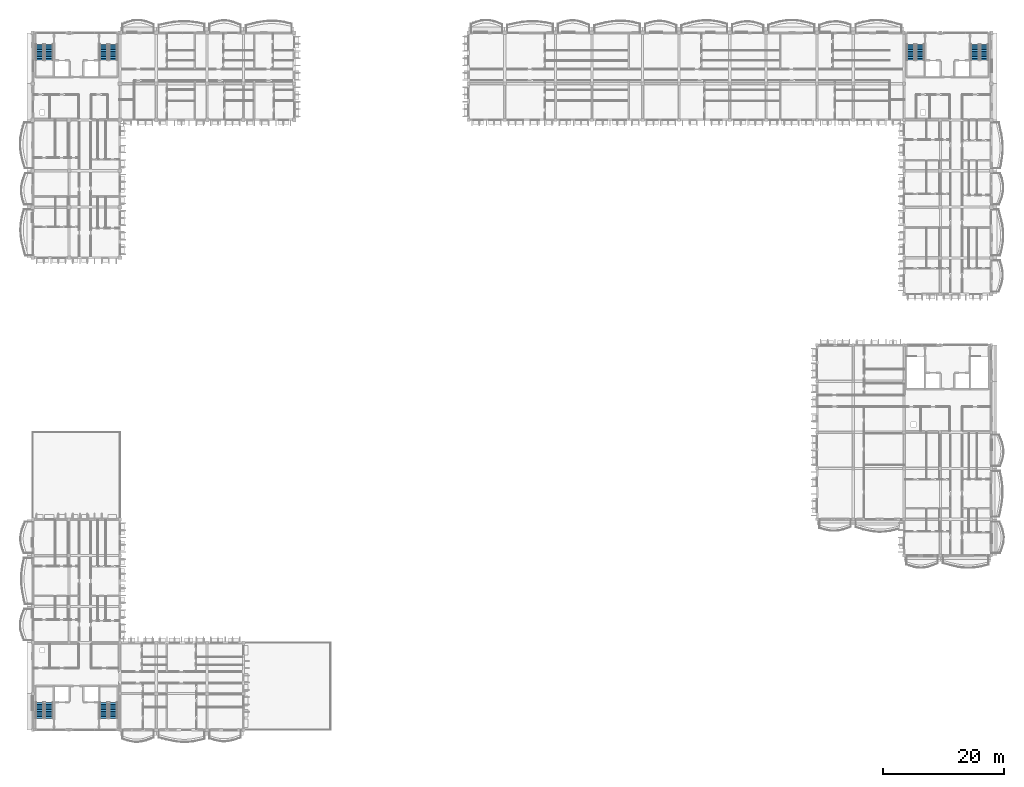
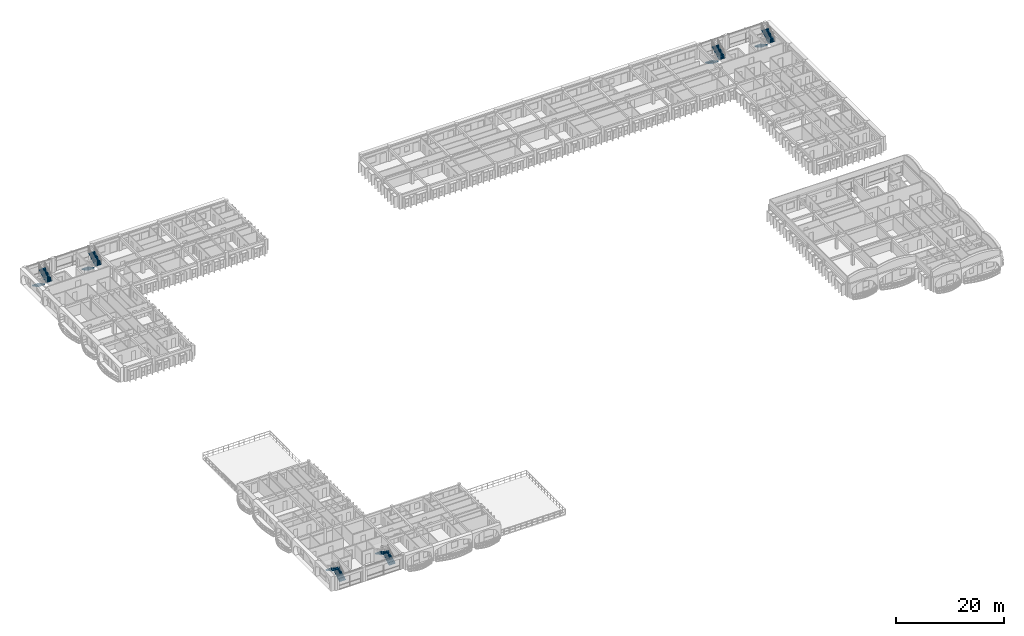
# One storey, part 35 of 59: 12 stair flights, 6 elements without a shape of their own.
"""IFC4 building model written with IfcOpenShell, lengths in metres."""

from ifc_helpers import new_model, si_unit, direction, frame, origin, place, context, subcontext, project, spatial, polyline, outline, extrude, material, type_object, element, aggregate, save


model = new_model("IFC4")

# Units and contexts
model_context = context("Model", 3, precision=1e-05, world=origin(), true_north=direction((0.0, 1.0)))
body_context = subcontext(model_context, "Body", "Model", "MODEL_VIEW")
ifc_project = project(units=[si_unit("LENGTHUNIT", "METRE"), si_unit("AREAUNIT", "SQUARE_METRE"), si_unit("VOLUMEUNIT", "CUBIC_METRE"), si_unit("PLANEANGLEUNIT", "RADIAN"), si_unit("MASSUNIT", "GRAM", prefix="KILO"), si_unit("THERMODYNAMICTEMPERATUREUNIT", "KELVIN")], contexts=[model_context])

# Site, building, storey
site_placement = place(None, origin())
site = spatial("IfcSite", under=ifc_project, at=site_placement, CompositionType="ELEMENT")
building_placement = place(site_placement, origin())
building = spatial("IfcBuilding", under=site, at=building_placement, Name="Thalorik Housing Commons", CompositionType="ELEMENT")
storey_placement = place(building_placement, frame((0.0, 0.0, 27.89990234375)))
storey = spatial("IfcBuildingStorey", under=building, at=storey_placement, Name="L08", CompositionType="ELEMENT", Elevation=27.89990234375)

# Stair, stair flights
ifc_material = material(Name="Precast concrete C40/50", Category="concrete")
stair_type = type_object("IfcStairType", Name="ARC-STR-1350-R20", PredefinedType="HALF_TURN_STAIR", material=ifc_material)
stair_1_placement = place(storey_placement, origin())
stair_1 = element("IfcStair", 1, at=stair_1_placement, inside=storey, type_object=stair_type, Name="L08 Block A Smoke-Proof Stair 1", PredefinedType="HALF_TURN_STAIR")
stair_flight_type = type_object("IfcStairFlightType", Name="ARC-SFLT-1350-R10", PredefinedType="STRAIGHT", material=ifc_material)
stair_flight_1_placement = place(storey_placement, frame((9.52490234375, 121.699951171875, 0.0), z_axis=(0.0, 0.0, 1.0), x_axis=(0.0, -1.0, 0.0)))
stair_flight_1 = element("IfcStairFlight", 2, at=stair_flight_1_placement, type_object=stair_flight_type, Name="ST-A1 flight 1", NumberOfRisers=10, NumberOfTreads=9, PredefinedType="STRAIGHT", RiserHeight=0.165, TreadLength=0.29, context=body_context, shape_type="SweptSolid", body=[
    extrude(outline(polyline([(0.0, 0.0), (0.0, 0.1650390625), (0.2900390625, 0.1650390625), (0.2900390625, 0.330078125), (0.580078125, 0.330078125), (0.580078125, 0.4951171875), (0.8701171875, 0.4951171875), (0.8701171875, 0.659912109375), (1.159912109375, 0.659912109375), (1.159912109375, 0.824951171875), (1.449951171875, 0.824951171875), (1.449951171875, 0.989990234375), (1.739990234375, 0.989990234375), (1.739990234375, 1.155029296875), (2.030029296875, 1.155029296875), (2.030029296875, 1.320068359375), (2.320068359375, 1.320068359375), (2.320068359375, 1.485107421875), (2.610107421875, 1.485107421875), (2.610107421875, 1.64990234375), (2.610107421875, 1.301025390625), (0.323486328125, 0.0), (0.0, 0.0)])), frame((0.0, 0.675048828125, 0.0), z_axis=(0.0, -1.0, 0.0), x_axis=(1.0, 0.0, 0.0)), (0.0, 0.0, 1.0), 1.35009765625),
])
stair_flight_2_placement = place(storey_placement, frame((11.074951171875, 119.090087890625, 1.650146484375), z_axis=(0.0, 0.0, 1.0), x_axis=(0.0, 1.0, 0.0)))
stair_flight_2 = element("IfcStairFlight", 3, at=stair_flight_2_placement, type_object=stair_flight_type, Name="ST-A1 flight 2", NumberOfRisers=10, NumberOfTreads=9, PredefinedType="STRAIGHT", RiserHeight=0.165, TreadLength=0.29, context=body_context, shape_type="SweptSolid", body=[
    extrude(outline(polyline([(0.0, 0.0), (0.0, 0.1650390625), (0.2900390625, 0.1650390625), (0.2900390625, 0.330078125), (0.580078125, 0.330078125), (0.580078125, 0.4951171875), (0.8701171875, 0.4951171875), (0.8701171875, 0.659912109375), (1.159912109375, 0.659912109375), (1.159912109375, 0.824951171875), (1.449951171875, 0.824951171875), (1.449951171875, 0.989990234375), (1.739990234375, 0.989990234375), (1.739990234375, 1.155029296875), (2.030029296875, 1.155029296875), (2.030029296875, 1.320068359375), (2.320068359375, 1.320068359375), (2.320068359375, 1.485107421875), (2.610107421875, 1.485107421875), (2.610107421875, 1.64990234375), (2.610107421875, 1.301025390625), (0.323486328125, 0.0), (0.0, 0.0)])), frame((0.0, 0.675048828125, 0.0), z_axis=(0.0, -1.0, 0.0), x_axis=(1.0, 0.0, 0.0)), (0.0, 0.0, 1.0), 1.35009765625),
])
aggregate(stair_1, [stair_flight_1, stair_flight_2])

stair_2_placement = place(storey_placement, origin())
stair_2 = element("IfcStair", 4, at=stair_2_placement, inside=storey, type_object=stair_type, Name="L08 Block A Smoke-Proof Stair 2", PredefinedType="HALF_TURN_STAIR")
stair_flight_3_placement = place(storey_placement, frame((20.125, 121.699951171875, 0.0), z_axis=(0.0, 0.0, 1.0), x_axis=(0.0, -1.0, 0.0)))
stair_flight_3 = element("IfcStairFlight", 5, at=stair_flight_3_placement, type_object=stair_flight_type, Name="ST-A2 flight 1", NumberOfRisers=10, NumberOfTreads=9, PredefinedType="STRAIGHT", RiserHeight=0.165, TreadLength=0.29, context=body_context, shape_type="SweptSolid", body=[
    extrude(outline(polyline([(0.0, 0.0), (0.0, 0.1650390625), (0.2900390625, 0.1650390625), (0.2900390625, 0.330078125), (0.580078125, 0.330078125), (0.580078125, 0.4951171875), (0.8701171875, 0.4951171875), (0.8701171875, 0.659912109375), (1.159912109375, 0.659912109375), (1.159912109375, 0.824951171875), (1.449951171875, 0.824951171875), (1.449951171875, 0.989990234375), (1.739990234375, 0.989990234375), (1.739990234375, 1.155029296875), (2.030029296875, 1.155029296875), (2.030029296875, 1.320068359375), (2.320068359375, 1.320068359375), (2.320068359375, 1.485107421875), (2.610107421875, 1.485107421875), (2.610107421875, 1.64990234375), (2.610107421875, 1.301025390625), (0.323486328125, 0.0), (0.0, 0.0)])), frame((0.0, 0.675048828125, 0.0), z_axis=(0.0, -1.0, 0.0), x_axis=(1.0, 0.0, 0.0)), (0.0, 0.0, 1.0), 1.35009765625),
])
stair_flight_4_placement = place(storey_placement, frame((21.675048828125, 119.090087890625, 1.650146484375), z_axis=(0.0, 0.0, 1.0), x_axis=(0.0, 1.0, 0.0)))
stair_flight_4 = element("IfcStairFlight", 6, at=stair_flight_4_placement, type_object=stair_flight_type, Name="ST-A2 flight 2", NumberOfRisers=10, NumberOfTreads=9, PredefinedType="STRAIGHT", RiserHeight=0.165, TreadLength=0.29, context=body_context, shape_type="SweptSolid", body=[
    extrude(outline(polyline([(0.0, 0.0), (0.0, 0.1650390625), (0.2900390625, 0.1650390625), (0.2900390625, 0.330078125), (0.580078125, 0.330078125), (0.580078125, 0.4951171875), (0.8701171875, 0.4951171875), (0.8701171875, 0.659912109375), (1.159912109375, 0.659912109375), (1.159912109375, 0.824951171875), (1.449951171875, 0.824951171875), (1.449951171875, 0.989990234375), (1.739990234375, 0.989990234375), (1.739990234375, 1.155029296875), (2.030029296875, 1.155029296875), (2.030029296875, 1.320068359375), (2.320068359375, 1.320068359375), (2.320068359375, 1.485107421875), (2.610107421875, 1.485107421875), (2.610107421875, 1.64990234375), (2.610107421875, 1.301025390625), (0.323486328125, 0.0), (0.0, 0.0)])), frame((0.0, 0.675048828125, 0.0), z_axis=(0.0, -1.0, 0.0), x_axis=(1.0, 0.0, 0.0)), (0.0, 0.0, 1.0), 1.35009765625),
])
aggregate(stair_2, [stair_flight_3, stair_flight_4])

stair_3_placement = place(storey_placement, origin())
stair_3 = element("IfcStair", 7, at=stair_3_placement, inside=storey, type_object=stair_type, Name="L08 Block B Smoke-Proof Stair 1", PredefinedType="HALF_TURN_STAIR")
stair_flight_5_placement = place(storey_placement, frame((153.52490234375, 121.699951171875, 0.0), z_axis=(0.0, 0.0, 1.0), x_axis=(0.0, -1.0, 0.0)))
stair_flight_5 = element("IfcStairFlight", 8, at=stair_flight_5_placement, type_object=stair_flight_type, Name="ST-B1 flight 1", NumberOfRisers=10, NumberOfTreads=9, PredefinedType="STRAIGHT", RiserHeight=0.165, TreadLength=0.29, context=body_context, shape_type="SweptSolid", body=[
    extrude(outline(polyline([(0.0, 0.0), (0.0, 0.1650390625), (0.2900390625, 0.1650390625), (0.2900390625, 0.330078125), (0.580078125, 0.330078125), (0.580078125, 0.4951171875), (0.8701171875, 0.4951171875), (0.8701171875, 0.659912109375), (1.159912109375, 0.659912109375), (1.159912109375, 0.824951171875), (1.449951171875, 0.824951171875), (1.449951171875, 0.989990234375), (1.739990234375, 0.989990234375), (1.739990234375, 1.155029296875), (2.030029296875, 1.155029296875), (2.030029296875, 1.320068359375), (2.320068359375, 1.320068359375), (2.320068359375, 1.485107421875), (2.610107421875, 1.485107421875), (2.610107421875, 1.64990234375), (2.610107421875, 1.301025390625), (0.323486328125, 0.0), (0.0, 0.0)])), frame((0.0, 0.675048828125, 0.0), z_axis=(0.0, -1.0, 0.0), x_axis=(1.0, 0.0, 0.0)), (0.0, 0.0, 1.0), 1.35009765625),
])
stair_flight_6_placement = place(storey_placement, frame((155.074951171875, 119.090087890625, 1.650146484375), z_axis=(0.0, 0.0, 1.0), x_axis=(0.0, 1.0, 0.0)))
stair_flight_6 = element("IfcStairFlight", 9, at=stair_flight_6_placement, type_object=stair_flight_type, Name="ST-B1 flight 2", NumberOfRisers=10, NumberOfTreads=9, PredefinedType="STRAIGHT", RiserHeight=0.165, TreadLength=0.29, context=body_context, shape_type="SweptSolid", body=[
    extrude(outline(polyline([(0.0, 0.0), (0.0, 0.1650390625), (0.2900390625, 0.1650390625), (0.2900390625, 0.330078125), (0.580078125, 0.330078125), (0.580078125, 0.4951171875), (0.8701171875, 0.4951171875), (0.8701171875, 0.659912109375), (1.159912109375, 0.659912109375), (1.159912109375, 0.824951171875), (1.449951171875, 0.824951171875), (1.449951171875, 0.989990234375), (1.739990234375, 0.989990234375), (1.739990234375, 1.155029296875), (2.030029296875, 1.155029296875), (2.030029296875, 1.320068359375), (2.320068359375, 1.320068359375), (2.320068359375, 1.485107421875), (2.610107421875, 1.485107421875), (2.610107421875, 1.64990234375), (2.610107421875, 1.301025390625), (0.323486328125, 0.0), (0.0, 0.0)])), frame((0.0, 0.675048828125, 0.0), z_axis=(0.0, -1.0, 0.0), x_axis=(1.0, 0.0, 0.0)), (0.0, 0.0, 1.0), 1.35009765625),
])
aggregate(stair_3, [stair_flight_5, stair_flight_6])

stair_4_placement = place(storey_placement, origin())
stair_4 = element("IfcStair", 10, at=stair_4_placement, inside=storey, type_object=stair_type, Name="L08 Block B Smoke-Proof Stair 2", PredefinedType="HALF_TURN_STAIR")
stair_flight_7_placement = place(storey_placement, frame((164.125, 121.699951171875, 0.0), z_axis=(0.0, 0.0, 1.0), x_axis=(0.0, -1.0, 0.0)))
stair_flight_7 = element("IfcStairFlight", 11, at=stair_flight_7_placement, type_object=stair_flight_type, Name="ST-B2 flight 1", NumberOfRisers=10, NumberOfTreads=9, PredefinedType="STRAIGHT", RiserHeight=0.165, TreadLength=0.29, context=body_context, shape_type="SweptSolid", body=[
    extrude(outline(polyline([(0.0, 0.0), (0.0, 0.1650390625), (0.2900390625, 0.1650390625), (0.2900390625, 0.330078125), (0.580078125, 0.330078125), (0.580078125, 0.4951171875), (0.8701171875, 0.4951171875), (0.8701171875, 0.659912109375), (1.159912109375, 0.659912109375), (1.159912109375, 0.824951171875), (1.449951171875, 0.824951171875), (1.449951171875, 0.989990234375), (1.739990234375, 0.989990234375), (1.739990234375, 1.155029296875), (2.030029296875, 1.155029296875), (2.030029296875, 1.320068359375), (2.320068359375, 1.320068359375), (2.320068359375, 1.485107421875), (2.610107421875, 1.485107421875), (2.610107421875, 1.64990234375), (2.610107421875, 1.301025390625), (0.323486328125, 0.0), (0.0, 0.0)])), frame((0.0, 0.675048828125, 0.0), z_axis=(0.0, -1.0, 0.0), x_axis=(1.0, 0.0, 0.0)), (0.0, 0.0, 1.0), 1.35009765625),
])
stair_flight_8_placement = place(storey_placement, frame((165.675048828125, 119.090087890625, 1.650146484375), z_axis=(0.0, 0.0, 1.0), x_axis=(0.0, 1.0, 0.0)))
stair_flight_8 = element("IfcStairFlight", 12, at=stair_flight_8_placement, type_object=stair_flight_type, Name="ST-B2 flight 2", NumberOfRisers=10, NumberOfTreads=9, PredefinedType="STRAIGHT", RiserHeight=0.165, TreadLength=0.29, context=body_context, shape_type="SweptSolid", body=[
    extrude(outline(polyline([(0.0, 0.0), (0.0, 0.1650390625), (0.2900390625, 0.1650390625), (0.2900390625, 0.330078125), (0.580078125, 0.330078125), (0.580078125, 0.4951171875), (0.8701171875, 0.4951171875), (0.8701171875, 0.659912109375), (1.159912109375, 0.659912109375), (1.159912109375, 0.824951171875), (1.449951171875, 0.824951171875), (1.449951171875, 0.989990234375), (1.739990234375, 0.989990234375), (1.739990234375, 1.155029296875), (2.030029296875, 1.155029296875), (2.030029296875, 1.320068359375), (2.320068359375, 1.320068359375), (2.320068359375, 1.485107421875), (2.610107421875, 1.485107421875), (2.610107421875, 1.64990234375), (2.610107421875, 1.301025390625), (0.323486328125, 0.0), (0.0, 0.0)])), frame((0.0, 0.675048828125, 0.0), z_axis=(0.0, -1.0, 0.0), x_axis=(1.0, 0.0, 0.0)), (0.0, 0.0, 1.0), 1.35009765625),
])
aggregate(stair_4, [stair_flight_7, stair_flight_8])

stair_5_placement = place(storey_placement, origin())
stair_5 = element("IfcStair", 13, at=stair_5_placement, inside=storey, type_object=stair_type, Name="L08 Block C Smoke-Proof Stair 1", PredefinedType="HALF_TURN_STAIR")
stair_flight_9_placement = place(storey_placement, frame((11.074951171875, 10.300048828125, 0.0), z_axis=(0.0, 0.0, 1.0), x_axis=(0.0, 1.0, 0.0)))
stair_flight_9 = element("IfcStairFlight", 14, at=stair_flight_9_placement, type_object=stair_flight_type, Name="ST-C1 flight 1", NumberOfRisers=10, NumberOfTreads=9, PredefinedType="STRAIGHT", RiserHeight=0.165, TreadLength=0.29, context=body_context, shape_type="SweptSolid", body=[
    extrude(outline(polyline([(0.0, 0.0), (0.0, 0.1650390625), (0.2900390625, 0.1650390625), (0.2900390625, 0.330078125), (0.580078125, 0.330078125), (0.580078125, 0.4951171875), (0.8701171875, 0.4951171875), (0.8701171875, 0.659912109375), (1.159912109375, 0.659912109375), (1.159912109375, 0.824951171875), (1.449951171875, 0.824951171875), (1.449951171875, 0.989990234375), (1.739990234375, 0.989990234375), (1.739990234375, 1.155029296875), (2.030029296875, 1.155029296875), (2.030029296875, 1.320068359375), (2.320068359375, 1.320068359375), (2.320068359375, 1.485107421875), (2.610107421875, 1.485107421875), (2.610107421875, 1.64990234375), (2.610107421875, 1.301025390625), (0.323486328125, 0.0), (0.0, 0.0)])), frame((0.0, 0.675048828125, 0.0), z_axis=(0.0, -1.0, 0.0), x_axis=(1.0, 0.0, 0.0)), (0.0, 0.0, 1.0), 1.35009765625),
])
stair_flight_10_placement = place(storey_placement, frame((9.52490234375, 12.909912109375, 1.650146484375), z_axis=(0.0, 0.0, 1.0), x_axis=(0.0, -1.0, 0.0)))
stair_flight_10 = element("IfcStairFlight", 15, at=stair_flight_10_placement, type_object=stair_flight_type, Name="ST-C1 flight 2", NumberOfRisers=10, NumberOfTreads=9, PredefinedType="STRAIGHT", RiserHeight=0.165, TreadLength=0.29, context=body_context, shape_type="SweptSolid", body=[
    extrude(outline(polyline([(0.0, 0.0), (0.0, 0.1650390625), (0.2900390625, 0.1650390625), (0.2900390625, 0.330078125), (0.580078125, 0.330078125), (0.580078125, 0.4951171875), (0.8701171875, 0.4951171875), (0.8701171875, 0.659912109375), (1.159912109375, 0.659912109375), (1.159912109375, 0.824951171875), (1.449951171875, 0.824951171875), (1.449951171875, 0.989990234375), (1.739990234375, 0.989990234375), (1.739990234375, 1.155029296875), (2.030029296875, 1.155029296875), (2.030029296875, 1.320068359375), (2.320068359375, 1.320068359375), (2.320068359375, 1.485107421875), (2.610107421875, 1.485107421875), (2.610107421875, 1.64990234375), (2.610107421875, 1.301025390625), (0.323486328125, 0.0), (0.0, 0.0)])), frame((0.0, 0.675048828125, 0.0), z_axis=(0.0, -1.0, 0.0), x_axis=(1.0, 0.0, 0.0)), (0.0, 0.0, 1.0), 1.35009765625),
])
aggregate(stair_5, [stair_flight_9, stair_flight_10])

stair_6_placement = place(storey_placement, origin())
stair_6 = element("IfcStair", 16, at=stair_6_placement, inside=storey, type_object=stair_type, Name="L08 Block C Smoke-Proof Stair 2", PredefinedType="HALF_TURN_STAIR")
stair_flight_11_placement = place(storey_placement, frame((21.675048828125, 10.300048828125, 0.0), z_axis=(0.0, 0.0, 1.0), x_axis=(0.0, 1.0, 0.0)))
stair_flight_11 = element("IfcStairFlight", 17, at=stair_flight_11_placement, type_object=stair_flight_type, Name="ST-C2 flight 1", NumberOfRisers=10, NumberOfTreads=9, PredefinedType="STRAIGHT", RiserHeight=0.165, TreadLength=0.29, context=body_context, shape_type="SweptSolid", body=[
    extrude(outline(polyline([(0.0, 0.0), (0.0, 0.1650390625), (0.2900390625, 0.1650390625), (0.2900390625, 0.330078125), (0.580078125, 0.330078125), (0.580078125, 0.4951171875), (0.8701171875, 0.4951171875), (0.8701171875, 0.659912109375), (1.159912109375, 0.659912109375), (1.159912109375, 0.824951171875), (1.449951171875, 0.824951171875), (1.449951171875, 0.989990234375), (1.739990234375, 0.989990234375), (1.739990234375, 1.155029296875), (2.030029296875, 1.155029296875), (2.030029296875, 1.320068359375), (2.320068359375, 1.320068359375), (2.320068359375, 1.485107421875), (2.610107421875, 1.485107421875), (2.610107421875, 1.64990234375), (2.610107421875, 1.301025390625), (0.323486328125, 0.0), (0.0, 0.0)])), frame((0.0, 0.675048828125, 0.0), z_axis=(0.0, -1.0, 0.0), x_axis=(1.0, 0.0, 0.0)), (0.0, 0.0, 1.0), 1.35009765625),
])
stair_flight_12_placement = place(storey_placement, frame((20.125, 12.909912109375, 1.650146484375), z_axis=(0.0, 0.0, 1.0), x_axis=(0.0, -1.0, 0.0)))
stair_flight_12 = element("IfcStairFlight", 18, at=stair_flight_12_placement, type_object=stair_flight_type, Name="ST-C2 flight 2", NumberOfRisers=10, NumberOfTreads=9, PredefinedType="STRAIGHT", RiserHeight=0.165, TreadLength=0.29, context=body_context, shape_type="SweptSolid", body=[
    extrude(outline(polyline([(0.0, 0.0), (0.0, 0.1650390625), (0.2900390625, 0.1650390625), (0.2900390625, 0.330078125), (0.580078125, 0.330078125), (0.580078125, 0.4951171875), (0.8701171875, 0.4951171875), (0.8701171875, 0.659912109375), (1.159912109375, 0.659912109375), (1.159912109375, 0.824951171875), (1.449951171875, 0.824951171875), (1.449951171875, 0.989990234375), (1.739990234375, 0.989990234375), (1.739990234375, 1.155029296875), (2.030029296875, 1.155029296875), (2.030029296875, 1.320068359375), (2.320068359375, 1.320068359375), (2.320068359375, 1.485107421875), (2.610107421875, 1.485107421875), (2.610107421875, 1.64990234375), (2.610107421875, 1.301025390625), (0.323486328125, 0.0), (0.0, 0.0)])), frame((0.0, 0.675048828125, 0.0), z_axis=(0.0, -1.0, 0.0), x_axis=(1.0, 0.0, 0.0)), (0.0, 0.0, 1.0), 1.35009765625),
])
aggregate(stair_6, [stair_flight_11, stair_flight_12])

save(model, "model.ifc")
